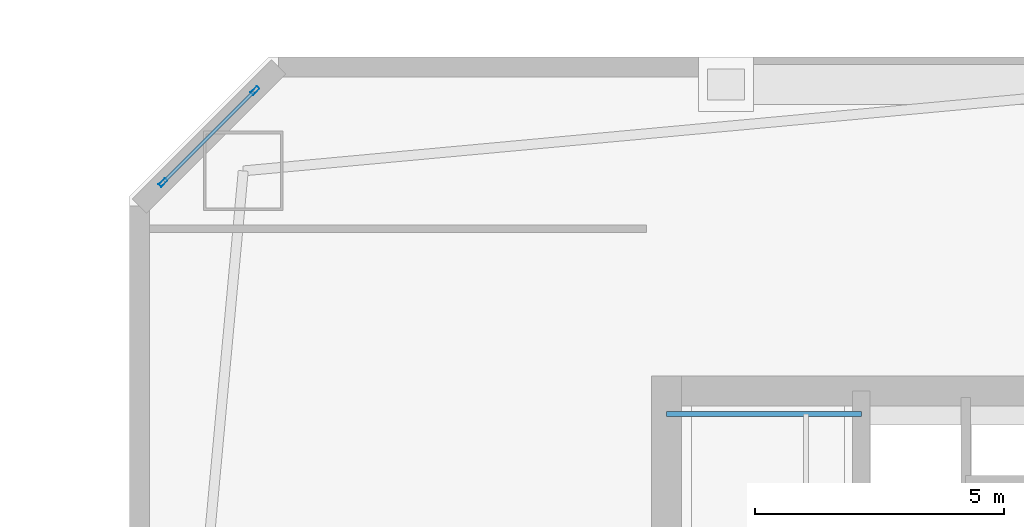
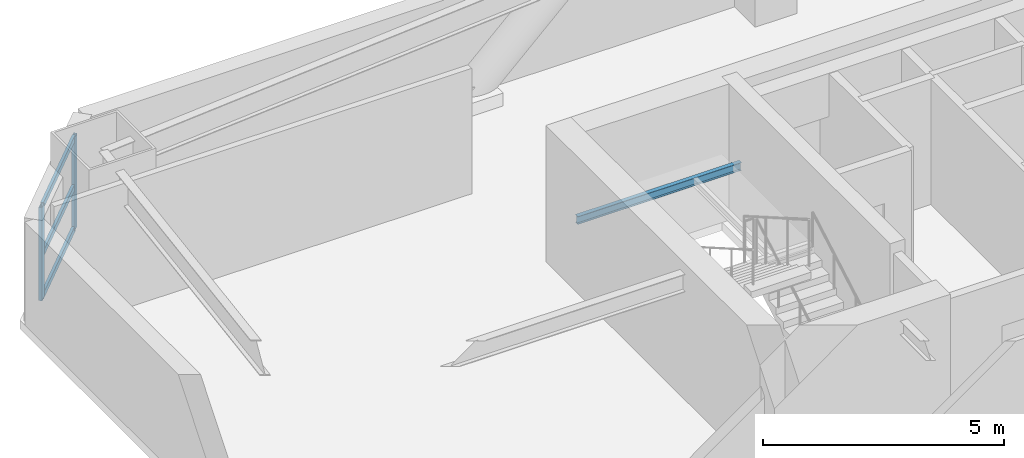
# One storey, part 5 of 24: 5 members, 1 beam, 1 element without a shape of its own.
"""IFC4 building model written with IfcOpenShell, lengths in metres."""

from ifc_helpers import new_model, si_unit, direction, frame, origin, origin_2d, place, context, subcontext, project, spatial, hollow_rectangle, i_section, extrude, material, layer, layer_set, material_profile, profile_set, type_object, element, aggregate, save


model = new_model("IFC4")

# Units and contexts
model_context = context("Model", 3, precision=1e-05, world=origin(), true_north=direction((0.0, 1.0)))
body_context = subcontext(model_context, "Body", "Model", "MODEL_VIEW")
ifc_project = project(units=[si_unit("LENGTHUNIT", "METRE"), si_unit("AREAUNIT", "SQUARE_METRE"), si_unit("VOLUMEUNIT", "CUBIC_METRE"), si_unit("PLANEANGLEUNIT", "RADIAN"), si_unit("MASSUNIT", "GRAM", prefix="KILO")], contexts=[model_context])

# Site, building, storey
site_placement = place(None, origin())
site = spatial("IfcSite", under=ifc_project, at=site_placement, CompositionType="ELEMENT")
building_placement = place(site_placement, origin())
building = spatial("IfcBuilding", under=site, at=building_placement, Name="Qiaolan Cultural Towers", CompositionType="ELEMENT")
storey_placement = place(building_placement, frame((0.0, 0.0, 120.75)))
storey = spatial("IfcBuildingStorey", under=building, at=storey_placement, Name="L31", CompositionType="ELEMENT", Elevation=120.75)

# Beam
ifc_material_1 = material(Name="Steel Q355B", Category="steel")
ifc_material_profile_1 = material_profile(ifc_material_1, i_section(OverallWidth=0.10009765625, OverallDepth=0.199951171875, WebThickness=0.005615234375, FlangeThickness=0.008056640625, at=origin_2d()), Name="HN200x100x5.5x8")
ifc_profile_set_1 = profile_set([ifc_material_profile_1], Name="Steel Q355B")
beam_type = type_object("IfcBeamType", Name="BM-STTRIM-200", PredefinedType="BEAM", material=ifc_profile_set_1)
beam_placement = place(storey_placement, frame((21.800048828125, 54.820068359375, 1.425048828125), z_axis=(1.0, 0.0, 0.0), x_axis=(0.0, 1.0, 0.0)))
element("IfcBeam", 1, at=beam_placement, inside=storey, type_object=beam_type, Name="L31 ST-W2 Stair Landing Support Beam 1-2", PredefinedType="BEAM", context=body_context, shape_type="SweptSolid", body=[
    extrude(i_section(OverallWidth=0.10009765625, OverallDepth=0.199951171875, WebThickness=0.005615234375, FlangeThickness=0.008056640625, at=origin_2d()), origin(), (0.0, 0.0, 1.0), 3.919921875),
])

# Curtain wall, members
ifc_material_2 = material(Name="Unitized Anodized Aluminium Curtain Wall System", Category="aluminium")
ifc_layer = layer(ifc_material_2, 0.199951171875)
ifc_layer_set = layer_set([ifc_layer], Name="Unitized Anodized Aluminium Curtain Wall System")
curtain_wall_type = type_object("IfcCurtainWallType", Name="CWS-03", PredefinedType="NOTDEFINED", material=ifc_layer_set)
curtain_wall_placement = place(storey_placement, origin())
curtain_wall = element("IfcCurtainWall", 2, at=curtain_wall_placement, inside=storey, type_object=curtain_wall_type, Name="L31 T1 Chamfer Wind-Corner Feature Curtain Wall 1", PredefinedType="NOTDEFINED")
ifc_material_3 = material(Name="Extruded Aluminium 6063-T6", Category="aluminium")
ifc_material_profile_2 = material_profile(ifc_material_3, hollow_rectangle(XDim=0.074951171875, YDim=0.179931640625, WallThickness=0.00390625, at=origin_2d()), Name="CWM-180x75x4")
ifc_profile_set_2 = profile_set([ifc_material_profile_2], Name="Extruded Aluminium 6063-T6")
member_type_1 = type_object("IfcMemberType", Name="CWS-03-MUL", PredefinedType="MULLION", material=ifc_profile_set_2)
member_1_placement = place(storey_placement, frame((11.674560546875, 59.474609375, 0.14990234375), z_axis=(0.0, 0.0, 1.0), x_axis=(-0.707106781187, 0.707106781187, 0.0)))
member_1 = element("IfcMember", 3, at=member_1_placement, type_object=member_type_1, Name="CW-3 mullion 1", PredefinedType="MULLION", context=body_context, shape_type="SweptSolid", body=[
    extrude(hollow_rectangle(XDim=0.074951171875, YDim=0.179931640625, WallThickness=0.00390625, at=origin_2d()), origin(), (0.0, 0.0, 1.0), 2.360107421875),
])
member_2_placement = place(storey_placement, frame((13.525390625, 61.325439453125, 0.14990234375), z_axis=(0.0, 0.0, 1.0), x_axis=(-0.707106781187, 0.707106781187, 0.0)))
member_2 = element("IfcMember", 4, at=member_2_placement, type_object=member_type_1, Name="CW-3 mullion 2", PredefinedType="MULLION", context=body_context, shape_type="SweptSolid", body=[
    extrude(hollow_rectangle(XDim=0.074951171875, YDim=0.179931640625, WallThickness=0.00390625, at=origin_2d()), origin(), (0.0, 0.0, 1.0), 2.360107421875),
])
ifc_material_4 = material(Name="Extruded Aluminium 6063-T6", Category="aluminium")
ifc_material_profile_3 = material_profile(ifc_material_4, hollow_rectangle(XDim=0.06494140625, YDim=0.14990234375, WallThickness=0.00390625, at=origin_2d()), Name="CWT-150x65x4")
ifc_profile_set_3 = profile_set([ifc_material_profile_3], Name="Extruded Aluminium 6063-T6")
member_type_2 = type_object("IfcMemberType", Name="CWS-03-TRN", PredefinedType="USERDEFINED", material=ifc_profile_set_3)
member_3_placement = place(storey_placement, frame((11.700927734375, 59.5009765625, 0.1826171875), z_axis=(0.707106781187, 0.707106781187, 0.0), x_axis=(-0.707106781187, 0.707106781187, 0.0)))
member_3 = element("IfcMember", 5, at=member_3_placement, type_object=member_type_2, Name="CW-3 transom 1.1", ObjectType="TRANSOM", PredefinedType="USERDEFINED", context=body_context, shape_type="SweptSolid", body=[
    extrude(hollow_rectangle(XDim=0.06494140625, YDim=0.14990234375, WallThickness=0.00390625, at=origin_2d()), origin(), (0.0, 0.0, 1.0), 2.54296875),
])
member_4_placement = place(storey_placement, frame((11.700927734375, 59.5009765625, 1.25), z_axis=(0.707106781187, 0.707106781187, 0.0), x_axis=(-0.707106781187, 0.707106781187, 0.0)))
member_4 = element("IfcMember", 6, at=member_4_placement, type_object=member_type_2, Name="CW-3 transom 1.2", ObjectType="TRANSOM", PredefinedType="USERDEFINED", context=body_context, shape_type="SweptSolid", body=[
    extrude(hollow_rectangle(XDim=0.06494140625, YDim=0.14990234375, WallThickness=0.00390625, at=origin_2d()), origin(), (0.0, 0.0, 1.0), 2.54296875),
])
member_5_placement = place(storey_placement, frame((11.700927734375, 59.5009765625, 2.4775390625), z_axis=(0.707106781187, 0.707106781187, 0.0), x_axis=(-0.707106781187, 0.707106781187, 0.0)))
member_5 = element("IfcMember", 7, at=member_5_placement, type_object=member_type_2, Name="CW-3 transom 1.3", ObjectType="TRANSOM", PredefinedType="USERDEFINED", context=body_context, shape_type="SweptSolid", body=[
    extrude(hollow_rectangle(XDim=0.06494140625, YDim=0.14990234375, WallThickness=0.00390625, at=origin_2d()), origin(), (0.0, 0.0, 1.0), 2.54296875),
])
aggregate(curtain_wall, [member_1, member_2, member_3, member_4, member_5])

save(model, "model.ifc")
